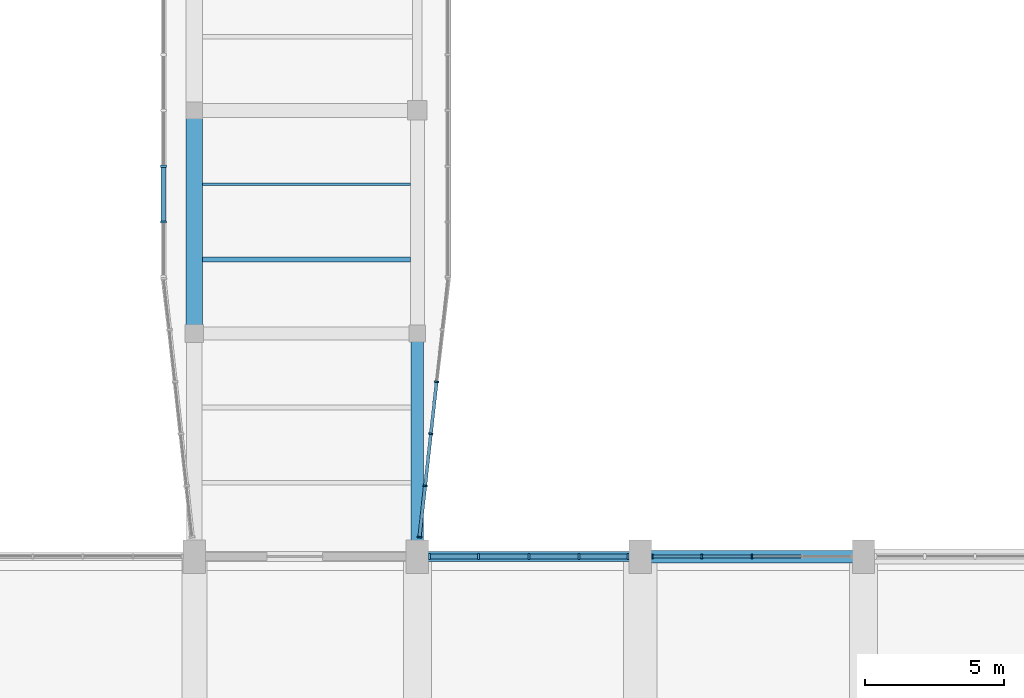
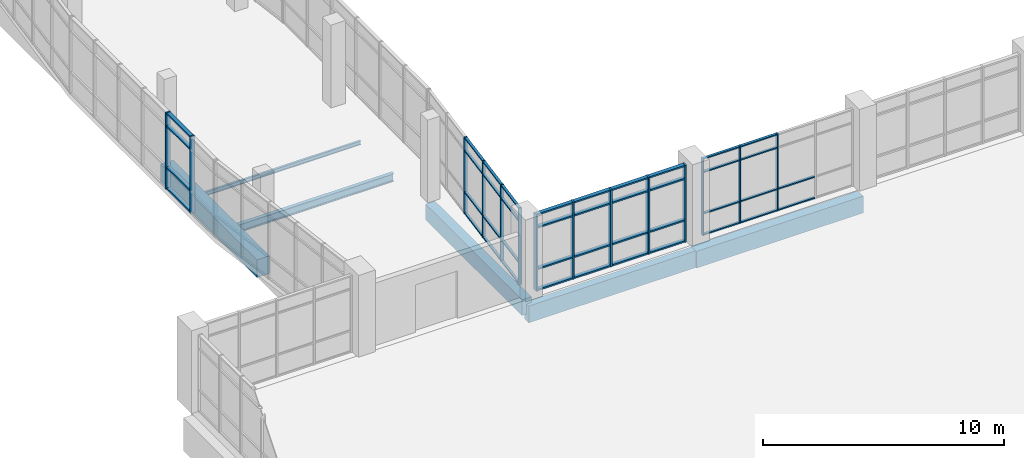
# One storey, part 11 of 84: 56 members, 6 beams, 4 elements without a shape of their own.
"""IFC4 building model written with IfcOpenShell, lengths in metres."""

from ifc_helpers import new_model, si_unit, direction, frame, origin, origin_2d, place, context, subcontext, project, spatial, rectangle, i_section, extrude, material, material_profile, profile_set, type_object, element, aggregate, save


model = new_model("IFC4")

# Units and contexts
model_context = context("Model", 3, precision=1e-05, world=origin(), true_north=direction((0.0, 1.0)))
body_context = subcontext(model_context, "Body", "Model", "MODEL_VIEW")
ifc_project = project(units=[si_unit("LENGTHUNIT", "METRE"), si_unit("AREAUNIT", "SQUARE_METRE"), si_unit("VOLUMEUNIT", "CUBIC_METRE"), si_unit("PLANEANGLEUNIT", "RADIAN"), si_unit("MASSUNIT", "GRAM", prefix="KILO")], contexts=[model_context])

# Site, building, storey
site_placement = place(None, origin())
site = spatial("IfcSite", under=ifc_project, at=site_placement, CompositionType="ELEMENT")
building_placement = place(site_placement, origin())
building = spatial("IfcBuilding", under=site, at=building_placement, Name="Tenunan Teduh Sports Hall", CompositionType="ELEMENT")
storey_placement = place(building_placement, frame((0.0, 0.0, 10.800048828125)))
storey = spatial("IfcBuildingStorey", under=building, at=storey_placement, Name="L02", CompositionType="ELEMENT", Elevation=10.800048828125)

# Beams
ifc_material_1 = material(Name="Concrete C40/50", Category="concrete")
ifc_material_profile_1 = material_profile(ifc_material_1, rectangle(XDim=0.449951171875, YDim=0.800048828125, at=origin_2d()), Name="RCB 450x800")
ifc_profile_set_1 = profile_set([ifc_material_profile_1], Name="Concrete C40/50")
beam_type_1 = type_object("IfcBeamType", Name="BM-RC-450x800", PredefinedType="BEAM", material=ifc_profile_set_1)
beam_1_placement = place(storey_placement, frame((22.0, 46.0, -0.66015625), z_axis=(0.0, 1.0, 0.0), x_axis=(-1.0, 0.0, 0.0)))
element("IfcBeam", 1, at=beam_1_placement, inside=storey, type_object=beam_type_1, Name="BM-B-12-L02-1584", PredefinedType="BEAM", context=body_context, shape_type="SweptSolid", body=[
    extrude(rectangle(XDim=0.449951171875, YDim=0.800048828125, at=origin_2d()), origin(), (0.0, 0.0, 1.0), 8.0),
])
ifc_material_2 = material(Name="Concrete C40/50", Category="concrete")
ifc_material_profile_2 = material_profile(ifc_material_2, rectangle(XDim=0.449951171875, YDim=0.85009765625, at=origin_2d()), Name="RCB 450x850")
ifc_profile_set_2 = profile_set([ifc_material_profile_2], Name="Concrete C40/50")
beam_type_2 = type_object("IfcBeamType", Name="BM-RC-450x850", PredefinedType="BEAM", material=ifc_profile_set_2)
beam_2_placement = place(storey_placement, frame((30.0, 46.0, -0.97509765625), z_axis=(1.0, 0.0, 0.0), x_axis=(0.0, 1.0, 0.0)))
element("IfcBeam", 2, at=beam_2_placement, inside=storey, type_object=beam_type_2, Name="BM-B-13-L02-1467", PredefinedType="BEAM", context=body_context, shape_type="SweptSolid", body=[
    extrude(rectangle(XDim=0.449951171875, YDim=0.85009765625, at=origin_2d()), origin(), (0.0, 0.0, 1.0), 8.0),
])
ifc_material_3 = material(Name="Concrete C40/50", Category="concrete")
ifc_material_profile_3 = material_profile(ifc_material_3, rectangle(XDim=0.60009765625, YDim=0.89990234375, at=origin_2d()), Name="RCB 600x900")
ifc_profile_set_3 = profile_set([ifc_material_profile_3], Name="Concrete C40/50")
beam_type_3 = type_object("IfcBeamType", Name="BM-RC-600x900", PredefinedType="BEAM", material=ifc_profile_set_3)
beam_3_placement = place(storey_placement, frame((14.0, 54.0, -0.7099609375), z_axis=(0.0, 1.0, 0.0), x_axis=(-1.0, 0.0, 0.0)))
element("IfcBeam", 3, at=beam_3_placement, inside=storey, type_object=beam_type_3, Name="BM-B-17-L02-1576", PredefinedType="BEAM", context=body_context, shape_type="SweptSolid", body=[
    extrude(rectangle(XDim=0.60009765625, YDim=0.89990234375, at=origin_2d()), origin(), (0.0, 0.0, 1.0), 8.0),
])
ifc_material_4 = material(Name="Concrete C40/50", Category="concrete")
ifc_material_profile_4 = material_profile(ifc_material_4, rectangle(XDim=0.35009765625, YDim=0.85009765625, at=origin_2d()), Name="SPB 350x850")
ifc_profile_set_4 = profile_set([ifc_material_profile_4], Name="Concrete C40/50")
beam_type_4 = type_object("IfcBeamType", Name="BM-SP-350x850", PredefinedType="SPANDREL", material=ifc_profile_set_4)
beam_4_placement = place(storey_placement, frame((22.0, 46.0, -0.97509765625), z_axis=(1.0, 0.0, 0.0), x_axis=(0.0, 1.0, 0.0)))
element("IfcBeam", 4, at=beam_4_placement, inside=storey, type_object=beam_type_4, Name="BM-SP-02-L02-1466", PredefinedType="SPANDREL", context=body_context, shape_type="SweptSolid", body=[
    extrude(rectangle(XDim=0.35009765625, YDim=0.85009765625, at=origin_2d()), origin(), (0.0, 0.0, 1.0), 8.0),
])

# Curtain wall, members
ifc_material_5 = material(Name="Anodised aluminium", Category="aluminium")
curtain_wall_type_1 = type_object("IfcCurtainWallType", Name="CW-UNIT-2", PredefinedType="NOTDEFINED", material=ifc_material_5)
curtain_wall_1_placement = place(storey_placement, origin())
curtain_wall_1 = element("IfcCurtainWall", 5, at=curtain_wall_1_placement, inside=storey, type_object=curtain_wall_type_1, Name="CW-CWM-150-L02-063", PredefinedType="NOTDEFINED")
ifc_material_6 = material(Name="Anodised aluminium", Category="aluminium")
ifc_material_profile_5 = material_profile(ifc_material_6, rectangle(XDim=0.06005859375, YDim=0.14990234375, at=origin_2d()), Name="CWM 60x150")
ifc_profile_set_5 = profile_set([ifc_material_profile_5], Name="Anodised aluminium")
member_type_1 = type_object("IfcMemberType", Name="CWM-150", PredefinedType="MULLION", material=ifc_profile_set_5)
member_1_placement = place(storey_placement, frame((30.429931640625, 46.0, 0.0), z_axis=(0.0, 0.0, 1.0), x_axis=(1.0, 0.0, 0.0)))
member_1 = element("IfcMember", 6, at=member_1_placement, type_object=member_type_1, Name="CW-02 mullion 1", PredefinedType="MULLION", context=body_context, shape_type="SweptSolid", body=[
    extrude(rectangle(XDim=0.06005859375, YDim=0.14990234375, at=origin_2d()), origin(), (0.0, 0.0, 1.0), 3.89990234375),
])
member_2_placement = place(storey_placement, frame((32.199951171875, 46.0, 0.0), z_axis=(0.0, 0.0, 1.0), x_axis=(1.0, 0.0, 0.0)))
member_2 = element("IfcMember", 7, at=member_2_placement, type_object=member_type_1, Name="CW-02 mullion 2", PredefinedType="MULLION", context=body_context, shape_type="SweptSolid", body=[
    extrude(rectangle(XDim=0.06005859375, YDim=0.14990234375, at=origin_2d()), origin(), (0.0, 0.0, 1.0), 3.89990234375),
])
member_3_placement = place(storey_placement, frame((34.0, 46.0, 0.0), z_axis=(0.0, 0.0, 1.0), x_axis=(1.0, 0.0, 0.0)))
member_3 = element("IfcMember", 8, at=member_3_placement, type_object=member_type_1, Name="CW-02 mullion 3", PredefinedType="MULLION", context=body_context, shape_type="SweptSolid", body=[
    extrude(rectangle(XDim=0.06005859375, YDim=0.14990234375, at=origin_2d()), origin(), (0.0, 0.0, 1.0), 3.89990234375),
])

ifc_material_7 = material(Name="Anodised aluminium", Category="aluminium")
curtain_wall_type_2 = type_object("IfcCurtainWallType", Name="CW-BRIDGE-1", PredefinedType="NOTDEFINED", material=ifc_material_7)
curtain_wall_2_placement = place(storey_placement, origin())
curtain_wall_2 = element("IfcCurtainWall", 9, at=curtain_wall_2_placement, inside=storey, type_object=curtain_wall_type_2, Name="CW-CWM-150-L02-187", PredefinedType="NOTDEFINED")
member_4_placement = place(storey_placement, frame((22.07666015625, 46.697998046875, 0.0), z_axis=(0.0, 0.0, 1.0), x_axis=(0.109338770491, 0.994004543887, 0.0)))
member_4 = element("IfcMember", 10, at=member_4_placement, type_object=member_type_1, Name="CW-05 mullion 1", PredefinedType="MULLION", context=body_context, shape_type="SweptSolid", body=[
    extrude(rectangle(XDim=0.06005859375, YDim=0.14990234375, at=origin_2d()), origin(), (0.0, 0.0, 1.0), 3.8798828125),
])
member_5_placement = place(storey_placement, frame((22.27880859375, 48.534423828125, 0.0), z_axis=(0.0, 0.0, 1.0), x_axis=(0.109338770491, 0.994004543887, 0.0)))
member_5 = element("IfcMember", 11, at=member_5_placement, type_object=member_type_1, Name="CW-05 mullion 2", PredefinedType="MULLION", context=body_context, shape_type="SweptSolid", body=[
    extrude(rectangle(XDim=0.06005859375, YDim=0.14990234375, at=origin_2d()), origin(), (0.0, 0.0, 1.0), 3.8798828125),
])
member_6_placement = place(storey_placement, frame((22.484130859375, 50.40087890625, 0.0), z_axis=(0.0, 0.0, 1.0), x_axis=(0.109338770491, 0.994004543887, 0.0)))
member_6 = element("IfcMember", 12, at=member_6_placement, type_object=member_type_1, Name="CW-05 mullion 3", PredefinedType="MULLION", context=body_context, shape_type="SweptSolid", body=[
    extrude(rectangle(XDim=0.06005859375, YDim=0.14990234375, at=origin_2d()), origin(), (0.0, 0.0, 1.0), 3.8798828125),
])
member_7_placement = place(storey_placement, frame((22.689453125, 52.267333984375, 0.0), z_axis=(0.0, 0.0, 1.0), x_axis=(0.109338770491, 0.994004543887, 0.0)))
member_7 = element("IfcMember", 13, at=member_7_placement, type_object=member_type_1, Name="CW-05 mullion 4", PredefinedType="MULLION", context=body_context, shape_type="SweptSolid", body=[
    extrude(rectangle(XDim=0.06005859375, YDim=0.14990234375, at=origin_2d()), origin(), (0.0, 0.0, 1.0), 3.8798828125),
])

curtain_wall_3_placement = place(storey_placement, origin())
curtain_wall_3 = element("IfcCurtainWall", 14, at=curtain_wall_3_placement, inside=storey, type_object=curtain_wall_type_1, Name="CW-CWM-220-L02-061", PredefinedType="NOTDEFINED")
ifc_material_8 = material(Name="Anodised aluminium", Category="aluminium")
ifc_material_profile_6 = material_profile(ifc_material_8, rectangle(XDim=0.074951171875, YDim=0.219970703125, at=origin_2d()), Name="CWM 75x220")
ifc_profile_set_6 = profile_set([ifc_material_profile_6], Name="Anodised aluminium")
member_type_2 = type_object("IfcMemberType", Name="CWM-220", PredefinedType="MULLION", material=ifc_profile_set_6)
member_8_placement = place(storey_placement, frame((22.4375, 46.0, 0.0), z_axis=(0.0, 0.0, 1.0), x_axis=(1.0, 0.0, 0.0)))
member_8 = element("IfcMember", 15, at=member_8_placement, type_object=member_type_2, Name="CW-02 mullion 1", PredefinedType="MULLION", context=body_context, shape_type="SweptSolid", body=[
    extrude(rectangle(XDim=0.074951171875, YDim=0.219970703125, at=origin_2d()), origin(), (0.0, 0.0, 1.0), 3.89990234375),
])
member_9_placement = place(storey_placement, frame((24.199951171875, 46.0, 0.0), z_axis=(0.0, 0.0, 1.0), x_axis=(1.0, 0.0, 0.0)))
member_9 = element("IfcMember", 16, at=member_9_placement, type_object=member_type_2, Name="CW-02 mullion 2", PredefinedType="MULLION", context=body_context, shape_type="SweptSolid", body=[
    extrude(rectangle(XDim=0.074951171875, YDim=0.219970703125, at=origin_2d()), origin(), (0.0, 0.0, 1.0), 3.89990234375),
])
member_10_placement = place(storey_placement, frame((26.0, 46.0, 0.0), z_axis=(0.0, 0.0, 1.0), x_axis=(1.0, 0.0, 0.0)))
member_10 = element("IfcMember", 17, at=member_10_placement, type_object=member_type_2, Name="CW-02 mullion 3", PredefinedType="MULLION", context=body_context, shape_type="SweptSolid", body=[
    extrude(rectangle(XDim=0.074951171875, YDim=0.219970703125, at=origin_2d()), origin(), (0.0, 0.0, 1.0), 3.89990234375),
])
member_11_placement = place(storey_placement, frame((27.800048828125, 46.0, 0.0), z_axis=(0.0, 0.0, 1.0), x_axis=(1.0, 0.0, 0.0)))
member_11 = element("IfcMember", 18, at=member_11_placement, type_object=member_type_2, Name="CW-02 mullion 4", PredefinedType="MULLION", context=body_context, shape_type="SweptSolid", body=[
    extrude(rectangle(XDim=0.074951171875, YDim=0.219970703125, at=origin_2d()), origin(), (0.0, 0.0, 1.0), 3.89990234375),
])
member_12_placement = place(storey_placement, frame((29.5625, 46.0, 0.0), z_axis=(0.0, 0.0, 1.0), x_axis=(1.0, 0.0, 0.0)))
member_12 = element("IfcMember", 19, at=member_12_placement, type_object=member_type_2, Name="CW-02 mullion 5", PredefinedType="MULLION", context=body_context, shape_type="SweptSolid", body=[
    extrude(rectangle(XDim=0.074951171875, YDim=0.219970703125, at=origin_2d()), origin(), (0.0, 0.0, 1.0), 3.89990234375),
])

curtain_wall_4_placement = place(storey_placement, origin())
curtain_wall_4 = element("IfcCurtainWall", 20, at=curtain_wall_4_placement, inside=storey, type_object=curtain_wall_type_2, Name="CW-CWM-220-L02-185", PredefinedType="NOTDEFINED")
member_13_placement = place(storey_placement, frame((12.89990234375, 58.0, 0.0), z_axis=(0.0, 0.0, 1.0), x_axis=(0.0, 1.0, 0.0)))
member_13 = element("IfcMember", 21, at=member_13_placement, type_object=member_type_2, Name="CW-05 mullion 2", PredefinedType="MULLION", context=body_context, shape_type="SweptSolid", body=[
    extrude(rectangle(XDim=0.074951171875, YDim=0.219970703125, at=origin_2d()), origin(), (0.0, 0.0, 1.0), 3.8798828125),
])
member_14_placement = place(storey_placement, frame((12.89990234375, 60.0, 0.0), z_axis=(0.0, 0.0, 1.0), x_axis=(0.0, 1.0, 0.0)))
member_14 = element("IfcMember", 22, at=member_14_placement, type_object=member_type_2, Name="CW-05 mullion 3", PredefinedType="MULLION", context=body_context, shape_type="SweptSolid", body=[
    extrude(rectangle(XDim=0.074951171875, YDim=0.219970703125, at=origin_2d()), origin(), (0.0, 0.0, 1.0), 3.8798828125),
])

# Member
ifc_material_9 = material(Name="Anodised aluminium", Category="aluminium")
ifc_material_profile_7 = material_profile(ifc_material_9, rectangle(XDim=0.06005859375, YDim=0.1201171875, at=origin_2d()), Name="CWT 60x120")
ifc_profile_set_7 = profile_set([ifc_material_profile_7], Name="Anodised aluminium")
member_type_3 = type_object("IfcMemberType", Name="CWT-125", PredefinedType="USERDEFINED", material=ifc_profile_set_7)
member_15_placement = place(storey_placement, frame((30.4599609375, 46.0, 0.030029296875), z_axis=(1.0, 0.0, 0.0), x_axis=(0.0, 0.0, 1.0)))
member_15 = element("IfcMember", 23, at=member_15_placement, type_object=member_type_3, Name="CW-02 transom 1.1", ObjectType="TRANSOM", PredefinedType="USERDEFINED", context=body_context, shape_type="SweptSolid", body=[
    extrude(rectangle(XDim=0.06005859375, YDim=0.1201171875, at=origin_2d()), origin(), (0.0, 0.0, 1.0), 1.7099609375),
])

member_16_placement = place(storey_placement, frame((30.4599609375, 46.0, 1.099853515625), z_axis=(1.0, 0.0, 0.0), x_axis=(0.0, 0.0, 1.0)))
member_16 = element("IfcMember", 24, at=member_16_placement, type_object=member_type_3, Name="CW-02 transom 1.2", ObjectType="TRANSOM", PredefinedType="USERDEFINED", context=body_context, shape_type="SweptSolid", body=[
    extrude(rectangle(XDim=0.06005859375, YDim=0.1201171875, at=origin_2d()), origin(), (0.0, 0.0, 1.0), 1.7099609375),
])

member_17_placement = place(storey_placement, frame((30.4599609375, 46.0, 3.199951171875), z_axis=(1.0, 0.0, 0.0), x_axis=(0.0, 0.0, 1.0)))
member_17 = element("IfcMember", 25, at=member_17_placement, type_object=member_type_3, Name="CW-02 transom 1.3", ObjectType="TRANSOM", PredefinedType="USERDEFINED", context=body_context, shape_type="SweptSolid", body=[
    extrude(rectangle(XDim=0.06005859375, YDim=0.1201171875, at=origin_2d()), origin(), (0.0, 0.0, 1.0), 1.7099609375),
])

member_18_placement = place(storey_placement, frame((30.4599609375, 46.0, 3.869873046875), z_axis=(1.0, 0.0, 0.0), x_axis=(0.0, 0.0, 1.0)))
member_18 = element("IfcMember", 26, at=member_18_placement, type_object=member_type_3, Name="CW-02 transom 1.4", ObjectType="TRANSOM", PredefinedType="USERDEFINED", context=body_context, shape_type="SweptSolid", body=[
    extrude(rectangle(XDim=0.06005859375, YDim=0.1201171875, at=origin_2d()), origin(), (0.0, 0.0, 1.0), 1.7099609375),
])

member_19_placement = place(storey_placement, frame((32.22998046875, 46.0, 0.030029296875), z_axis=(1.0, 0.0, 0.0), x_axis=(0.0, 0.0, 1.0)))
member_19 = element("IfcMember", 27, at=member_19_placement, type_object=member_type_3, Name="CW-02 transom 2.1", ObjectType="TRANSOM", PredefinedType="USERDEFINED", context=body_context, shape_type="SweptSolid", body=[
    extrude(rectangle(XDim=0.06005859375, YDim=0.1201171875, at=origin_2d()), origin(), (0.0, 0.0, 1.0), 1.739990234375),
])

member_20_placement = place(storey_placement, frame((32.22998046875, 46.0, 1.099853515625), z_axis=(1.0, 0.0, 0.0), x_axis=(0.0, 0.0, 1.0)))
member_20 = element("IfcMember", 28, at=member_20_placement, type_object=member_type_3, Name="CW-02 transom 2.2", ObjectType="TRANSOM", PredefinedType="USERDEFINED", context=body_context, shape_type="SweptSolid", body=[
    extrude(rectangle(XDim=0.06005859375, YDim=0.1201171875, at=origin_2d()), origin(), (0.0, 0.0, 1.0), 1.739990234375),
])

member_21_placement = place(storey_placement, frame((32.22998046875, 46.0, 3.199951171875), z_axis=(1.0, 0.0, 0.0), x_axis=(0.0, 0.0, 1.0)))
member_21 = element("IfcMember", 29, at=member_21_placement, type_object=member_type_3, Name="CW-02 transom 2.3", ObjectType="TRANSOM", PredefinedType="USERDEFINED", context=body_context, shape_type="SweptSolid", body=[
    extrude(rectangle(XDim=0.06005859375, YDim=0.1201171875, at=origin_2d()), origin(), (0.0, 0.0, 1.0), 1.739990234375),
])

member_22_placement = place(storey_placement, frame((32.22998046875, 46.0, 3.869873046875), z_axis=(1.0, 0.0, 0.0), x_axis=(0.0, 0.0, 1.0)))
member_22 = element("IfcMember", 30, at=member_22_placement, type_object=member_type_3, Name="CW-02 transom 2.4", ObjectType="TRANSOM", PredefinedType="USERDEFINED", context=body_context, shape_type="SweptSolid", body=[
    extrude(rectangle(XDim=0.06005859375, YDim=0.1201171875, at=origin_2d()), origin(), (0.0, 0.0, 1.0), 1.739990234375),
])

member_23_placement = place(storey_placement, frame((34.030029296875, 46.0, 0.030029296875), z_axis=(1.0, 0.0, 0.0), x_axis=(0.0, 0.0, 1.0)))
member_23 = element("IfcMember", 31, at=member_23_placement, type_object=member_type_3, Name="CW-02 transom 3.1", ObjectType="TRANSOM", PredefinedType="USERDEFINED", context=body_context, shape_type="SweptSolid", body=[
    extrude(rectangle(XDim=0.06005859375, YDim=0.1201171875, at=origin_2d()), origin(), (0.0, 0.0, 1.0), 1.739990234375),
])

member_24_placement = place(storey_placement, frame((34.030029296875, 46.0, 1.099853515625), z_axis=(1.0, 0.0, 0.0), x_axis=(0.0, 0.0, 1.0)))
member_24 = element("IfcMember", 32, at=member_24_placement, type_object=member_type_3, Name="CW-02 transom 3.2", ObjectType="TRANSOM", PredefinedType="USERDEFINED", context=body_context, shape_type="SweptSolid", body=[
    extrude(rectangle(XDim=0.06005859375, YDim=0.1201171875, at=origin_2d()), origin(), (0.0, 0.0, 1.0), 1.739990234375),
])

aggregate(curtain_wall_1, [member_1, member_2, member_3, member_15, member_16, member_17, member_18, member_19, member_20, member_21, member_22, member_23, member_24])

member_25_placement = place(storey_placement, frame((22.080078125, 46.727783203125, 0.030029296875), z_axis=(0.109397154999, 0.993998119957, 0.0), x_axis=(0.0, 0.0, 1.0)))
member_25 = element("IfcMember", 33, at=member_25_placement, type_object=member_type_3, Name="CW-05 transom 1.1", ObjectType="TRANSOM", PredefinedType="USERDEFINED", context=body_context, shape_type="SweptSolid", body=[
    extrude(rectangle(XDim=0.06005859375, YDim=0.1201171875, at=origin_2d()), origin(), (0.0, 0.0, 1.0), 1.78759765625),
])

member_26_placement = place(storey_placement, frame((22.080078125, 46.727783203125, 1.099853515625), z_axis=(0.109397154999, 0.993998119957, 0.0), x_axis=(0.0, 0.0, 1.0)))
member_26 = element("IfcMember", 34, at=member_26_placement, type_object=member_type_3, Name="CW-05 transom 1.2", ObjectType="TRANSOM", PredefinedType="USERDEFINED", context=body_context, shape_type="SweptSolid", body=[
    extrude(rectangle(XDim=0.06005859375, YDim=0.1201171875, at=origin_2d()), origin(), (0.0, 0.0, 1.0), 1.78759765625),
])

member_27_placement = place(storey_placement, frame((22.080078125, 46.727783203125, 3.199951171875), z_axis=(0.109397154999, 0.993998119957, 0.0), x_axis=(0.0, 0.0, 1.0)))
member_27 = element("IfcMember", 35, at=member_27_placement, type_object=member_type_3, Name="CW-05 transom 1.3", ObjectType="TRANSOM", PredefinedType="USERDEFINED", context=body_context, shape_type="SweptSolid", body=[
    extrude(rectangle(XDim=0.06005859375, YDim=0.1201171875, at=origin_2d()), origin(), (0.0, 0.0, 1.0), 1.78759765625),
])

member_28_placement = place(storey_placement, frame((22.080078125, 46.727783203125, 3.849853515625), z_axis=(0.109397154999, 0.993998119957, 0.0), x_axis=(0.0, 0.0, 1.0)))
member_28 = element("IfcMember", 36, at=member_28_placement, type_object=member_type_3, Name="CW-05 transom 1.4", ObjectType="TRANSOM", PredefinedType="USERDEFINED", context=body_context, shape_type="SweptSolid", body=[
    extrude(rectangle(XDim=0.06005859375, YDim=0.1201171875, at=origin_2d()), origin(), (0.0, 0.0, 1.0), 1.78759765625),
])

member_29_placement = place(storey_placement, frame((22.281982421875, 48.564208984375, 0.030029296875), z_axis=(0.109325881999, 0.994005961514, 0.0), x_axis=(0.0, 0.0, 1.0)))
member_29 = element("IfcMember", 37, at=member_29_placement, type_object=member_type_3, Name="CW-05 transom 2.1", ObjectType="TRANSOM", PredefinedType="USERDEFINED", context=body_context, shape_type="SweptSolid", body=[
    extrude(rectangle(XDim=0.06005859375, YDim=0.1201171875, at=origin_2d()), origin(), (0.0, 0.0, 1.0), 1.81787109375),
])

member_30_placement = place(storey_placement, frame((22.281982421875, 48.564208984375, 1.099853515625), z_axis=(0.109325881999, 0.994005961514, 0.0), x_axis=(0.0, 0.0, 1.0)))
member_30 = element("IfcMember", 38, at=member_30_placement, type_object=member_type_3, Name="CW-05 transom 2.2", ObjectType="TRANSOM", PredefinedType="USERDEFINED", context=body_context, shape_type="SweptSolid", body=[
    extrude(rectangle(XDim=0.06005859375, YDim=0.1201171875, at=origin_2d()), origin(), (0.0, 0.0, 1.0), 1.81787109375),
])

member_31_placement = place(storey_placement, frame((22.281982421875, 48.564208984375, 3.199951171875), z_axis=(0.109325881999, 0.994005961514, 0.0), x_axis=(0.0, 0.0, 1.0)))
member_31 = element("IfcMember", 39, at=member_31_placement, type_object=member_type_3, Name="CW-05 transom 2.3", ObjectType="TRANSOM", PredefinedType="USERDEFINED", context=body_context, shape_type="SweptSolid", body=[
    extrude(rectangle(XDim=0.06005859375, YDim=0.1201171875, at=origin_2d()), origin(), (0.0, 0.0, 1.0), 1.81787109375),
])

member_32_placement = place(storey_placement, frame((22.281982421875, 48.564208984375, 3.849853515625), z_axis=(0.109325881999, 0.994005961514, 0.0), x_axis=(0.0, 0.0, 1.0)))
member_32 = element("IfcMember", 40, at=member_32_placement, type_object=member_type_3, Name="CW-05 transom 2.4", ObjectType="TRANSOM", PredefinedType="USERDEFINED", context=body_context, shape_type="SweptSolid", body=[
    extrude(rectangle(XDim=0.06005859375, YDim=0.1201171875, at=origin_2d()), origin(), (0.0, 0.0, 1.0), 1.81787109375),
])

member_33_placement = place(storey_placement, frame((22.4873046875, 50.4306640625, 0.030029296875), z_axis=(0.109340479153, 0.994004355935, 0.0), x_axis=(0.0, 0.0, 1.0)))
member_33 = element("IfcMember", 41, at=member_33_placement, type_object=member_type_3, Name="CW-05 transom 3.1", ObjectType="TRANSOM", PredefinedType="USERDEFINED", context=body_context, shape_type="SweptSolid", body=[
    extrude(rectangle(XDim=0.06005859375, YDim=0.1201171875, at=origin_2d()), origin(), (0.0, 0.0, 1.0), 1.817626953125),
])

member_34_placement = place(storey_placement, frame((22.4873046875, 50.4306640625, 1.099853515625), z_axis=(0.109340479153, 0.994004355935, 0.0), x_axis=(0.0, 0.0, 1.0)))
member_34 = element("IfcMember", 42, at=member_34_placement, type_object=member_type_3, Name="CW-05 transom 3.2", ObjectType="TRANSOM", PredefinedType="USERDEFINED", context=body_context, shape_type="SweptSolid", body=[
    extrude(rectangle(XDim=0.06005859375, YDim=0.1201171875, at=origin_2d()), origin(), (0.0, 0.0, 1.0), 1.817626953125),
])

member_35_placement = place(storey_placement, frame((22.4873046875, 50.4306640625, 3.199951171875), z_axis=(0.109340479153, 0.994004355935, 0.0), x_axis=(0.0, 0.0, 1.0)))
member_35 = element("IfcMember", 43, at=member_35_placement, type_object=member_type_3, Name="CW-05 transom 3.3", ObjectType="TRANSOM", PredefinedType="USERDEFINED", context=body_context, shape_type="SweptSolid", body=[
    extrude(rectangle(XDim=0.06005859375, YDim=0.1201171875, at=origin_2d()), origin(), (0.0, 0.0, 1.0), 1.817626953125),
])

member_36_placement = place(storey_placement, frame((22.4873046875, 50.4306640625, 3.849853515625), z_axis=(0.109340479153, 0.994004355935, 0.0), x_axis=(0.0, 0.0, 1.0)))
member_36 = element("IfcMember", 44, at=member_36_placement, type_object=member_type_3, Name="CW-05 transom 3.4", ObjectType="TRANSOM", PredefinedType="USERDEFINED", context=body_context, shape_type="SweptSolid", body=[
    extrude(rectangle(XDim=0.06005859375, YDim=0.1201171875, at=origin_2d()), origin(), (0.0, 0.0, 1.0), 1.817626953125),
])

aggregate(curtain_wall_2, [member_4, member_5, member_6, member_7, member_25, member_26, member_27, member_28, member_29, member_30, member_31, member_32, member_33, member_34, member_35, member_36])

ifc_material_10 = material(Name="Anodised aluminium", Category="aluminium")
ifc_material_profile_8 = material_profile(ifc_material_10, rectangle(XDim=0.074951171875, YDim=0.179931640625, at=origin_2d()), Name="CWT 75x180")
ifc_profile_set_8 = profile_set([ifc_material_profile_8], Name="Anodised aluminium")
member_type_4 = type_object("IfcMemberType", Name="CWT-180", PredefinedType="USERDEFINED", material=ifc_profile_set_8)
member_37_placement = place(storey_placement, frame((22.47509765625, 46.0, 0.037353515625), z_axis=(1.0, 0.0, 0.0), x_axis=(0.0, 0.0, 1.0)))
member_37 = element("IfcMember", 45, at=member_37_placement, type_object=member_type_4, Name="CW-02 transom 1.1", ObjectType="TRANSOM", PredefinedType="USERDEFINED", context=body_context, shape_type="SweptSolid", body=[
    extrude(rectangle(XDim=0.074951171875, YDim=0.179931640625, at=origin_2d()), origin(), (0.0, 0.0, 1.0), 1.6875),
])

member_38_placement = place(storey_placement, frame((22.47509765625, 46.0, 1.099853515625), z_axis=(1.0, 0.0, 0.0), x_axis=(0.0, 0.0, 1.0)))
member_38 = element("IfcMember", 46, at=member_38_placement, type_object=member_type_4, Name="CW-02 transom 1.2", ObjectType="TRANSOM", PredefinedType="USERDEFINED", context=body_context, shape_type="SweptSolid", body=[
    extrude(rectangle(XDim=0.074951171875, YDim=0.179931640625, at=origin_2d()), origin(), (0.0, 0.0, 1.0), 1.6875),
])

member_39_placement = place(storey_placement, frame((22.47509765625, 46.0, 3.199951171875), z_axis=(1.0, 0.0, 0.0), x_axis=(0.0, 0.0, 1.0)))
member_39 = element("IfcMember", 47, at=member_39_placement, type_object=member_type_4, Name="CW-02 transom 1.3", ObjectType="TRANSOM", PredefinedType="USERDEFINED", context=body_context, shape_type="SweptSolid", body=[
    extrude(rectangle(XDim=0.074951171875, YDim=0.179931640625, at=origin_2d()), origin(), (0.0, 0.0, 1.0), 1.6875),
])

member_40_placement = place(storey_placement, frame((22.47509765625, 46.0, 3.862548828125), z_axis=(1.0, 0.0, 0.0), x_axis=(0.0, 0.0, 1.0)))
member_40 = element("IfcMember", 48, at=member_40_placement, type_object=member_type_4, Name="CW-02 transom 1.4", ObjectType="TRANSOM", PredefinedType="USERDEFINED", context=body_context, shape_type="SweptSolid", body=[
    extrude(rectangle(XDim=0.074951171875, YDim=0.179931640625, at=origin_2d()), origin(), (0.0, 0.0, 1.0), 1.6875),
])

member_41_placement = place(storey_placement, frame((24.237548828125, 46.0, 0.037353515625), z_axis=(1.0, 0.0, 0.0), x_axis=(0.0, 0.0, 1.0)))
member_41 = element("IfcMember", 49, at=member_41_placement, type_object=member_type_4, Name="CW-02 transom 2.1", ObjectType="TRANSOM", PredefinedType="USERDEFINED", context=body_context, shape_type="SweptSolid", body=[
    extrude(rectangle(XDim=0.074951171875, YDim=0.179931640625, at=origin_2d()), origin(), (0.0, 0.0, 1.0), 1.724853515625),
])

member_42_placement = place(storey_placement, frame((24.237548828125, 46.0, 1.099853515625), z_axis=(1.0, 0.0, 0.0), x_axis=(0.0, 0.0, 1.0)))
member_42 = element("IfcMember", 50, at=member_42_placement, type_object=member_type_4, Name="CW-02 transom 2.2", ObjectType="TRANSOM", PredefinedType="USERDEFINED", context=body_context, shape_type="SweptSolid", body=[
    extrude(rectangle(XDim=0.074951171875, YDim=0.179931640625, at=origin_2d()), origin(), (0.0, 0.0, 1.0), 1.724853515625),
])

member_43_placement = place(storey_placement, frame((24.237548828125, 46.0, 3.199951171875), z_axis=(1.0, 0.0, 0.0), x_axis=(0.0, 0.0, 1.0)))
member_43 = element("IfcMember", 51, at=member_43_placement, type_object=member_type_4, Name="CW-02 transom 2.3", ObjectType="TRANSOM", PredefinedType="USERDEFINED", context=body_context, shape_type="SweptSolid", body=[
    extrude(rectangle(XDim=0.074951171875, YDim=0.179931640625, at=origin_2d()), origin(), (0.0, 0.0, 1.0), 1.724853515625),
])

member_44_placement = place(storey_placement, frame((24.237548828125, 46.0, 3.862548828125), z_axis=(1.0, 0.0, 0.0), x_axis=(0.0, 0.0, 1.0)))
member_44 = element("IfcMember", 52, at=member_44_placement, type_object=member_type_4, Name="CW-02 transom 2.4", ObjectType="TRANSOM", PredefinedType="USERDEFINED", context=body_context, shape_type="SweptSolid", body=[
    extrude(rectangle(XDim=0.074951171875, YDim=0.179931640625, at=origin_2d()), origin(), (0.0, 0.0, 1.0), 1.724853515625),
])

member_45_placement = place(storey_placement, frame((26.03759765625, 46.0, 0.037353515625), z_axis=(1.0, 0.0, 0.0), x_axis=(0.0, 0.0, 1.0)))
member_45 = element("IfcMember", 53, at=member_45_placement, type_object=member_type_4, Name="CW-02 transom 3.1", ObjectType="TRANSOM", PredefinedType="USERDEFINED", context=body_context, shape_type="SweptSolid", body=[
    extrude(rectangle(XDim=0.074951171875, YDim=0.179931640625, at=origin_2d()), origin(), (0.0, 0.0, 1.0), 1.724853515625),
])

member_46_placement = place(storey_placement, frame((26.03759765625, 46.0, 1.099853515625), z_axis=(1.0, 0.0, 0.0), x_axis=(0.0, 0.0, 1.0)))
member_46 = element("IfcMember", 54, at=member_46_placement, type_object=member_type_4, Name="CW-02 transom 3.2", ObjectType="TRANSOM", PredefinedType="USERDEFINED", context=body_context, shape_type="SweptSolid", body=[
    extrude(rectangle(XDim=0.074951171875, YDim=0.179931640625, at=origin_2d()), origin(), (0.0, 0.0, 1.0), 1.724853515625),
])

member_47_placement = place(storey_placement, frame((26.03759765625, 46.0, 3.199951171875), z_axis=(1.0, 0.0, 0.0), x_axis=(0.0, 0.0, 1.0)))
member_47 = element("IfcMember", 55, at=member_47_placement, type_object=member_type_4, Name="CW-02 transom 3.3", ObjectType="TRANSOM", PredefinedType="USERDEFINED", context=body_context, shape_type="SweptSolid", body=[
    extrude(rectangle(XDim=0.074951171875, YDim=0.179931640625, at=origin_2d()), origin(), (0.0, 0.0, 1.0), 1.724853515625),
])

member_48_placement = place(storey_placement, frame((26.03759765625, 46.0, 3.862548828125), z_axis=(1.0, 0.0, 0.0), x_axis=(0.0, 0.0, 1.0)))
member_48 = element("IfcMember", 56, at=member_48_placement, type_object=member_type_4, Name="CW-02 transom 3.4", ObjectType="TRANSOM", PredefinedType="USERDEFINED", context=body_context, shape_type="SweptSolid", body=[
    extrude(rectangle(XDim=0.074951171875, YDim=0.179931640625, at=origin_2d()), origin(), (0.0, 0.0, 1.0), 1.724853515625),
])

member_49_placement = place(storey_placement, frame((27.83740234375, 46.0, 0.037353515625), z_axis=(1.0, 0.0, 0.0), x_axis=(0.0, 0.0, 1.0)))
member_49 = element("IfcMember", 57, at=member_49_placement, type_object=member_type_4, Name="CW-02 transom 4.1", ObjectType="TRANSOM", PredefinedType="USERDEFINED", context=body_context, shape_type="SweptSolid", body=[
    extrude(rectangle(XDim=0.074951171875, YDim=0.179931640625, at=origin_2d()), origin(), (0.0, 0.0, 1.0), 1.6875),
])

member_50_placement = place(storey_placement, frame((27.83740234375, 46.0, 1.099853515625), z_axis=(1.0, 0.0, 0.0), x_axis=(0.0, 0.0, 1.0)))
member_50 = element("IfcMember", 58, at=member_50_placement, type_object=member_type_4, Name="CW-02 transom 4.2", ObjectType="TRANSOM", PredefinedType="USERDEFINED", context=body_context, shape_type="SweptSolid", body=[
    extrude(rectangle(XDim=0.074951171875, YDim=0.179931640625, at=origin_2d()), origin(), (0.0, 0.0, 1.0), 1.6875),
])

member_51_placement = place(storey_placement, frame((27.83740234375, 46.0, 3.199951171875), z_axis=(1.0, 0.0, 0.0), x_axis=(0.0, 0.0, 1.0)))
member_51 = element("IfcMember", 59, at=member_51_placement, type_object=member_type_4, Name="CW-02 transom 4.3", ObjectType="TRANSOM", PredefinedType="USERDEFINED", context=body_context, shape_type="SweptSolid", body=[
    extrude(rectangle(XDim=0.074951171875, YDim=0.179931640625, at=origin_2d()), origin(), (0.0, 0.0, 1.0), 1.6875),
])

member_52_placement = place(storey_placement, frame((27.83740234375, 46.0, 3.862548828125), z_axis=(1.0, 0.0, 0.0), x_axis=(0.0, 0.0, 1.0)))
member_52 = element("IfcMember", 60, at=member_52_placement, type_object=member_type_4, Name="CW-02 transom 4.4", ObjectType="TRANSOM", PredefinedType="USERDEFINED", context=body_context, shape_type="SweptSolid", body=[
    extrude(rectangle(XDim=0.074951171875, YDim=0.179931640625, at=origin_2d()), origin(), (0.0, 0.0, 1.0), 1.6875),
])

aggregate(curtain_wall_3, [member_8, member_9, member_10, member_11, member_12, member_37, member_38, member_39, member_40, member_41, member_42, member_43, member_44, member_45, member_46, member_47, member_48, member_49, member_50, member_51, member_52])

member_53_placement = place(storey_placement, frame((12.89990234375, 58.03759765625, 0.037353515625), z_axis=(0.0, 1.0, 0.0), x_axis=(0.0, 0.0, 1.0)))
member_53 = element("IfcMember", 61, at=member_53_placement, type_object=member_type_4, Name="CW-05 transom 2.1", ObjectType="TRANSOM", PredefinedType="USERDEFINED", context=body_context, shape_type="SweptSolid", body=[
    extrude(rectangle(XDim=0.074951171875, YDim=0.179931640625, at=origin_2d()), origin(), (0.0, 0.0, 1.0), 1.9248046875),
])

member_54_placement = place(storey_placement, frame((12.89990234375, 58.03759765625, 1.099853515625), z_axis=(0.0, 1.0, 0.0), x_axis=(0.0, 0.0, 1.0)))
member_54 = element("IfcMember", 62, at=member_54_placement, type_object=member_type_4, Name="CW-05 transom 2.2", ObjectType="TRANSOM", PredefinedType="USERDEFINED", context=body_context, shape_type="SweptSolid", body=[
    extrude(rectangle(XDim=0.074951171875, YDim=0.179931640625, at=origin_2d()), origin(), (0.0, 0.0, 1.0), 1.9248046875),
])

member_55_placement = place(storey_placement, frame((12.89990234375, 58.03759765625, 3.199951171875), z_axis=(0.0, 1.0, 0.0), x_axis=(0.0, 0.0, 1.0)))
member_55 = element("IfcMember", 63, at=member_55_placement, type_object=member_type_4, Name="CW-05 transom 2.3", ObjectType="TRANSOM", PredefinedType="USERDEFINED", context=body_context, shape_type="SweptSolid", body=[
    extrude(rectangle(XDim=0.074951171875, YDim=0.179931640625, at=origin_2d()), origin(), (0.0, 0.0, 1.0), 1.9248046875),
])

member_56_placement = place(storey_placement, frame((12.89990234375, 58.03759765625, 3.842529296875), z_axis=(0.0, 1.0, 0.0), x_axis=(0.0, 0.0, 1.0)))
member_56 = element("IfcMember", 64, at=member_56_placement, type_object=member_type_4, Name="CW-05 transom 2.4", ObjectType="TRANSOM", PredefinedType="USERDEFINED", context=body_context, shape_type="SweptSolid", body=[
    extrude(rectangle(XDim=0.074951171875, YDim=0.179931640625, at=origin_2d()), origin(), (0.0, 0.0, 1.0), 1.9248046875),
])

aggregate(curtain_wall_4, [member_13, member_14, member_53, member_54, member_55, member_56])

# Beams
ifc_material_11 = material(Name="Steel S355", Category="steel")
ifc_material_profile_9 = material_profile(ifc_material_11, i_section(OverallWidth=0.10009765625, OverallDepth=0.199951171875, WebThickness=0.005615234375, FlangeThickness=0.008544921875, FilletRadius=0.011962890625, at=origin_2d()), Name="IPE 200")
ifc_profile_set_9 = profile_set([ifc_material_profile_9], Name="Steel S355")
beam_type_5 = type_object("IfcBeamType", Name="JST-IPE200", PredefinedType="JOIST", material=ifc_profile_set_9)
beam_5_placement = place(storey_placement, frame((14.300048828125, 59.35009765625, -0.360107421875), z_axis=(1.0, 0.0, 0.0), x_axis=(0.0, 1.0, 0.0)))
element("IfcBeam", 65, at=beam_5_placement, inside=storey, type_object=beam_type_5, Name="BM-J-01-L02-1687", PredefinedType="JOIST", context=body_context, shape_type="SweptSolid", body=[
    extrude(i_section(OverallWidth=0.10009765625, OverallDepth=0.199951171875, WebThickness=0.005615234375, FlangeThickness=0.008544921875, FilletRadius=0.011962890625, at=origin_2d()), origin(), (0.0, 0.0, 1.0), 7.449951171875),
])
ifc_material_12 = material(Name="Steel S355", Category="steel")
ifc_material_profile_10 = material_profile(ifc_material_12, i_section(OverallWidth=0.179931640625, OverallDepth=0.39990234375, WebThickness=0.008544921875, FlangeThickness=0.013427734375, FilletRadius=0.02099609375, at=origin_2d()), Name="IPE 400")
ifc_profile_set_10 = profile_set([ifc_material_profile_10], Name="Steel S355")
beam_type_6 = type_object("IfcBeamType", Name="JST-IPE400", PredefinedType="JOIST", material=ifc_profile_set_10)
beam_6_placement = place(storey_placement, frame((14.300048828125, 56.64990234375, -0.4599609375), z_axis=(1.0, 0.0, 0.0), x_axis=(0.0, 1.0, 0.0)))
element("IfcBeam", 66, at=beam_6_placement, inside=storey, type_object=beam_type_6, Name="BM-J-06-L02-1686", PredefinedType="JOIST", context=body_context, shape_type="SweptSolid", body=[
    extrude(i_section(OverallWidth=0.179931640625, OverallDepth=0.39990234375, WebThickness=0.008544921875, FlangeThickness=0.013427734375, FilletRadius=0.02099609375, at=origin_2d()), origin(), (0.0, 0.0, 1.0), 7.449951171875),
])

save(model, "model.ifc")
